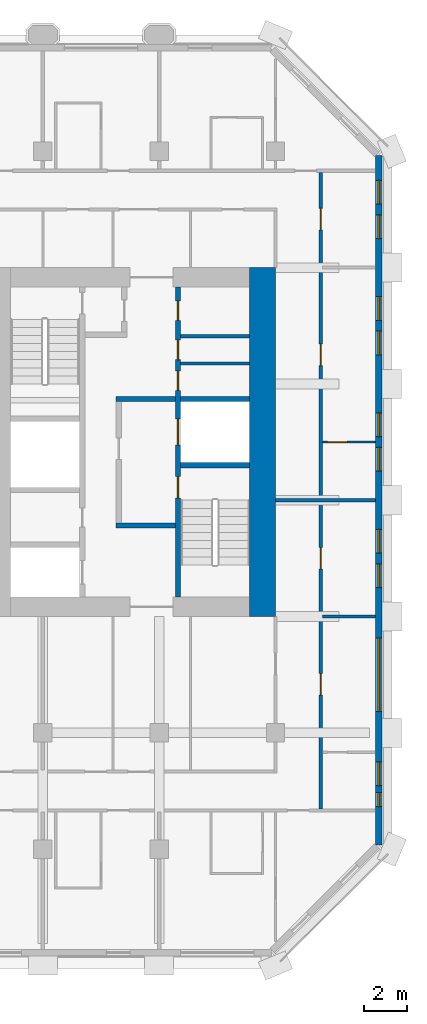
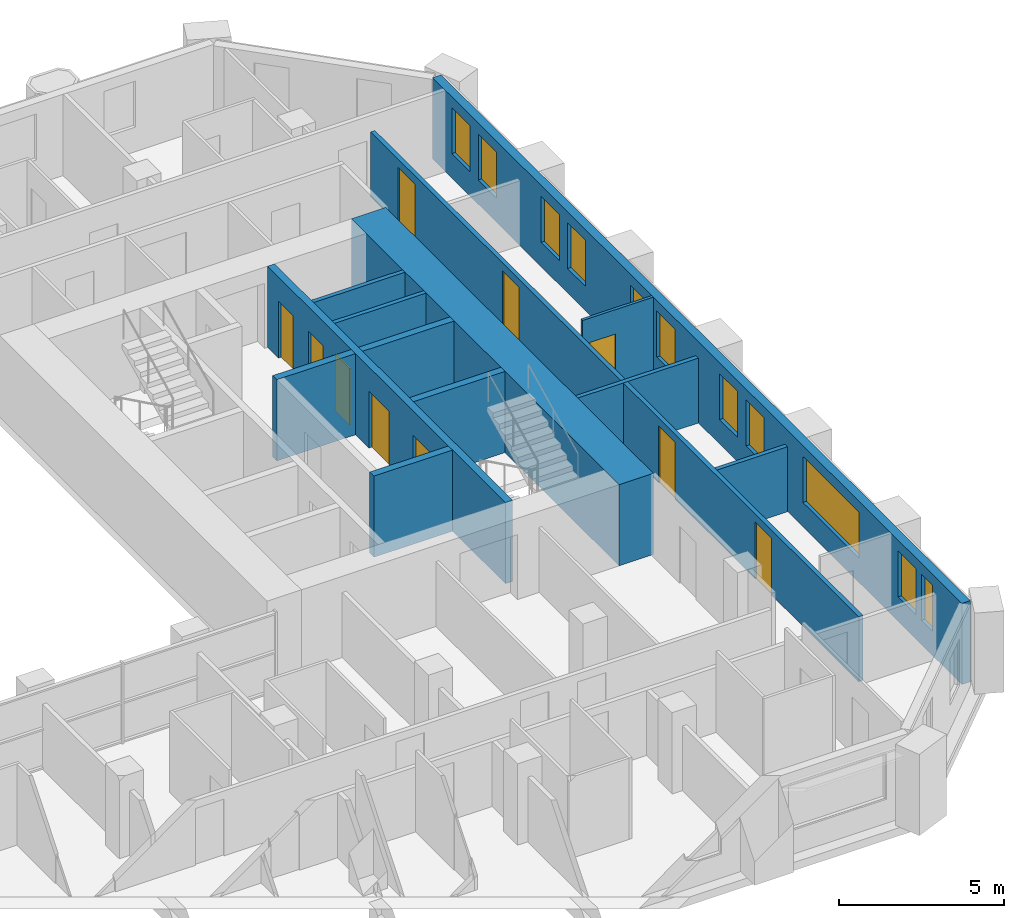
# One storey, part 11 of 16: 14 walls, 11 windows, 10 doors, 21 openings.
"""IFC4 building model written with IfcOpenShell, lengths in metres."""

from ifc_helpers import new_model, si_unit, direction, frame, frame_2d, origin, place, context, subcontext, project, spatial, rectangle, extrude, material, layer, layer_set, type_object, element, fill, save


model = new_model("IFC4")

# Units and contexts
model_context = context("Model", 3, precision=1e-05, world=origin(), true_north=direction((0.0, 1.0)))
body_context = subcontext(model_context, "Body", "Model", "MODEL_VIEW")
ifc_project = project(units=[si_unit("LENGTHUNIT", "METRE"), si_unit("AREAUNIT", "SQUARE_METRE"), si_unit("VOLUMEUNIT", "CUBIC_METRE"), si_unit("PLANEANGLEUNIT", "RADIAN"), si_unit("MASSUNIT", "GRAM", prefix="KILO")], contexts=[model_context])

# Site, building, storey
site_placement = place(None, origin())
site = spatial("IfcSite", under=ifc_project, at=site_placement, CompositionType="ELEMENT")
building_placement = place(site_placement, origin())
building = spatial("IfcBuilding", under=site, at=building_placement, Name="Tabaq Tower and Sports Hall", CompositionType="ELEMENT")
storey_placement = place(building_placement, frame((0.0, 0.0, 156.10009765625)))
storey = spatial("IfcBuildingStorey", under=building, at=storey_placement, Name="L36", CompositionType="ELEMENT", Elevation=156.10009765625)

# Walls
ifc_material_1 = material(Name="Blockwork", Category="masonry")
ifc_layer_1 = layer(ifc_material_1, 0.14990234375)
ifc_layer_set_1 = layer_set([ifc_layer_1], Name="Core room partition 150 Blockwork")
wall_type_1 = type_object("IfcWallType", Name="Core room partition 150 Blockwork", PredefinedType="PARTITIONING", material=ifc_layer_set_1)
for number, where, z_axis, x_axis, name in (
    (1, (38.800048828125, 27.947998046875, 0.0), (0.0, 0.0, 1.0), (1.0, 0.0, 0.0), "Core room partition E L36"),
    (2, (38.800048828125, 29.217041015625, 0.0), (0.0, 0.0, 1.0), (1.0, 0.0, 0.0), "Core room partition E L36"),
):
    element("IfcWall", number, at=place(storey_placement, frame(where, z_axis=z_axis, x_axis=x_axis)), inside=storey, type_object=wall_type_1, Name=name, PredefinedType="PARTITIONING", context=body_context, shape_type="SweptSolid", body=[
        extrude(rectangle(XDim=3.199951171875, YDim=0.14990234375, at=frame_2d((1.60009765625, 0.0))), origin(), (0.0, 0.0, 1.0), 3.0),
    ])
ifc_material_2 = material(Name="Concrete C50/60", Category="concrete")
ifc_layer_2 = layer(ifc_material_2, 1.199951171875)
ifc_layer_set_2 = layer_set([ifc_layer_2], Name="Core wall 1200 Concrete C50/60")
wall_type_2 = type_object("IfcWallType", Name="Core wall 1200 Concrete C50/60", PredefinedType="SOLIDWALL", material=ifc_layer_set_2)
wall_1_placement = place(storey_placement, frame((42.60009765625, 32.39990234375, 0.0), z_axis=(0.0, 0.0, 1.0), x_axis=(0.0, -1.0, 0.0)))
element("IfcWall", 3, at=wall_1_placement, inside=storey, type_object=wall_type_2, Name="Core wall E L36", PredefinedType="SOLIDWALL", context=body_context, shape_type="SweptSolid", body=[
    extrude(rectangle(XDim=16.199951171875, YDim=1.199951171875, at=frame_2d((8.10009765625, 0.0))), origin(), (0.0, 0.0, 1.0), 3.0),
])

# Wall, opening, door
ifc_material_3 = material(Name="Gypsum board on steel studs", Category="steel")
ifc_layer_3 = layer(ifc_material_3, 0.10009765625)
ifc_layer_set_3 = layer_set([ifc_layer_3], Name="Partition 100 Gypsum board")
wall_type_3 = type_object("IfcWallType", Name="Partition 100 Gypsum board", PredefinedType="PARTITIONING", material=ifc_layer_set_3)
wall_2_placement = place(storey_placement, frame((45.375, 24.300048828125, 0.0), z_axis=(0.0, 0.0, 1.0), x_axis=(1.0, 0.0, 0.0)))
wall_2 = element("IfcWall", 4, at=wall_2_placement, inside=storey, type_object=wall_type_3, Name="Partition wall L36", PredefinedType="PARTITIONING", context=body_context, shape_type="SweptSolid", body=[
    extrude(rectangle(XDim=2.47412109375, YDim=0.10009765625, at=frame_2d((1.237060546875, 0.0))), origin(), (0.0, 0.0, 1.0), 3.0),
])
opening_1_placement = place(wall_2_placement, frame((0.25, 0.0, 0.0)))
opening_1 = element("IfcOpeningElement", 5, at=opening_1_placement, cuts=wall_2, Name="Opening L36-009", PredefinedType="OPENING", context=body_context, shape_type="SweptSolid", body=[
    extrude(rectangle(XDim=0.89990234375, YDim=2.10009765625, at=frame_2d((0.449951171875, 1.050048828125))), frame((0.0, 0.050048828125, 0.0), z_axis=(0.0, -1.0, 0.0), x_axis=(1.0, 0.0, 0.0)), (0.0, 0.0, 1.0), 0.10009765625),
])
ifc_material_4 = material(Name="Timber leaf in steel frame", Category="steel")
door_type_1 = type_object("IfcDoorType", Name="Internal door 900 right hand", OperationType="SINGLE_SWING_RIGHT", PredefinedType="DOOR", material=ifc_material_4)
door_1_placement = place(opening_1_placement, origin())
door_1 = element("IfcDoor", 6, at=door_1_placement, inside=storey, type_object=door_type_1, Name="Internal door L36-009", OperationType="SINGLE_SWING_RIGHT", OverallHeight=2.10009765625, OverallWidth=0.89990234375, PredefinedType="DOOR", context=body_context, shape_type="SweptSolid", body=[
    extrude(rectangle(XDim=0.89990234375, YDim=2.10009765625, at=frame_2d((0.449951171875, 1.050048828125))), frame((0.0, 0.02490234375, 0.0), z_axis=(0.0, -1.0, 0.0), x_axis=(1.0, 0.0, 0.0)), (0.0, 0.0, 1.0), 0.050048828125),
])
fill(opening_1, door_1)

# Wall, openings, doors
ifc_material_5 = material(Name="Blockwork", Category="masonry")
ifc_layer_4 = layer(ifc_material_5, 0.14990234375)
ifc_layer_set_4 = layer_set([ifc_layer_4], Name="Separating wall 150 Blockwork")
wall_type_4 = type_object("IfcWallType", Name="Separating wall 150 Blockwork", PredefinedType="PARTITIONING", material=ifc_layer_set_4)
wall_3_placement = place(storey_placement, frame((45.300048828125, 36.824951171875, 0.0), z_axis=(0.0, 0.0, 1.0), x_axis=(0.0, -1.0, 0.0)))
wall_3 = element("IfcWall", 7, at=wall_3_placement, inside=storey, type_object=wall_type_4, Name="Separating wall L36", PredefinedType="PARTITIONING", context=body_context, shape_type="SweptSolid", body=[
    extrude(rectangle(XDim=15.14990234375, YDim=0.14990234375, at=frame_2d((7.574951171875, 0.0))), origin(), (0.0, 0.0, 1.0), 2.39990234375),
])
opening_2_placement = place(wall_3_placement, frame((1.675048828125, 0.0, 0.0)))
opening_2 = element("IfcOpeningElement", 8, at=opening_2_placement, cuts=wall_3, Name="Opening L36-001", PredefinedType="OPENING", context=body_context, shape_type="SweptSolid", body=[
    extrude(rectangle(XDim=1.0, YDim=2.10009765625, at=frame_2d((0.5, 1.050048828125))), frame((0.0, 0.074951171875, 0.0), z_axis=(0.0, -1.0, 0.0), x_axis=(1.0, 0.0, 0.0)), (0.0, 0.0, 1.0), 0.14990234375),
])
opening_3_placement = place(wall_3_placement, frame((7.97509765625, 0.0, 0.0)))
opening_3 = element("IfcOpeningElement", 9, at=opening_3_placement, cuts=wall_3, Name="Opening L36-038", PredefinedType="OPENING", context=body_context, shape_type="SweptSolid", body=[
    extrude(rectangle(XDim=1.0, YDim=2.10009765625, at=frame_2d((0.5, 1.050048828125))), frame((0.0, 0.074951171875, 0.0), z_axis=(0.0, -1.0, 0.0), x_axis=(1.0, 0.0, 0.0)), (0.0, 0.0, 1.0), 0.14990234375),
])
ifc_material_6 = material(Name="Steel fire door", Category="steel")
door_type_2 = type_object("IfcDoorType", Name="Entrance door 1000 left hand", OperationType="SINGLE_SWING_LEFT", PredefinedType="DOOR", material=ifc_material_6)
door_2_placement = place(opening_3_placement, origin())
door_2 = element("IfcDoor", 10, at=door_2_placement, inside=storey, type_object=door_type_2, Name="Entrance door L36-038", OperationType="SINGLE_SWING_LEFT", OverallHeight=2.10009765625, OverallWidth=1.0, PredefinedType="DOOR", context=body_context, shape_type="SweptSolid", body=[
    extrude(rectangle(XDim=1.0, YDim=2.10009765625, at=frame_2d((0.5, 1.050048828125))), frame((0.0, 0.02490234375, 0.0), z_axis=(0.0, -1.0, 0.0), x_axis=(1.0, 0.0, 0.0)), (0.0, 0.0, 1.0), 0.050048828125),
])
fill(opening_3, door_2)
ifc_material_7 = material(Name="Timber leaf in steel frame", Category="steel")
door_type_3 = type_object("IfcDoorType", Name="Internal door 1000 left hand", OperationType="SINGLE_SWING_LEFT", PredefinedType="DOOR", material=ifc_material_7)
door_3_placement = place(opening_2_placement, origin())
door_3 = element("IfcDoor", 11, at=door_3_placement, inside=storey, type_object=door_type_3, Name="Internal door L36-001", OperationType="SINGLE_SWING_LEFT", OverallHeight=2.10009765625, OverallWidth=1.0, PredefinedType="DOOR", context=body_context, shape_type="SweptSolid", body=[
    extrude(rectangle(XDim=1.0, YDim=2.10009765625, at=frame_2d((0.5, 1.050048828125))), frame((0.0, 0.02490234375, 0.0), z_axis=(0.0, -1.0, 0.0), x_axis=(1.0, 0.0, 0.0)), (0.0, 0.0, 1.0), 0.050048828125),
])
fill(opening_2, door_3)

# Walls
wall_4_placement = place(storey_placement, frame((43.199951171875, 21.60009765625, 0.0), z_axis=(0.0, 0.0, 1.0), x_axis=(1.0, 0.0, 0.0)))
element("IfcWall", 12, at=wall_4_placement, inside=storey, type_object=wall_type_4, Name="Separating wall L36", PredefinedType="PARTITIONING", context=body_context, shape_type="SweptSolid", body=[
    extrude(rectangle(XDim=4.649169921875, YDim=0.14990234375, at=frame_2d((2.32470703125, 0.0))), origin(), (0.0, 0.0, 1.0), 2.39990234375),
])
wall_5_placement = place(storey_placement, frame((47.84912109375, 16.199951171875, 0.0), z_axis=(0.0, 0.0, 1.0), x_axis=(-1.0, 0.0, 0.0)))
element("IfcWall", 13, at=wall_5_placement, inside=storey, type_object=wall_type_4, Name="Separating wall L36", PredefinedType="PARTITIONING", context=body_context, shape_type="SweptSolid", body=[
    extrude(rectangle(XDim=2.47412109375, YDim=0.14990234375, at=frame_2d((1.237060546875, 0.0))), origin(), (0.0, 0.0, 1.0), 2.39990234375),
])

# Wall, openings, doors
wall_6_placement = place(storey_placement, frame((45.300048828125, 21.52490234375, 0.0), z_axis=(0.0, 0.0, 1.0), x_axis=(0.0, -1.0, 0.0)))
wall_6 = element("IfcWall", 14, at=wall_6_placement, inside=storey, type_object=wall_type_4, Name="Separating wall L36", PredefinedType="PARTITIONING", context=body_context, shape_type="SweptSolid", body=[
    extrude(rectangle(XDim=14.25, YDim=0.14990234375, at=frame_2d((7.125, 0.0))), origin(), (0.0, 0.0, 1.0), 2.39990234375),
])
opening_4_placement = place(wall_6_placement, frame((2.125, 0.0, 0.0)))
opening_4 = element("IfcOpeningElement", 15, at=opening_4_placement, cuts=wall_6, Name="Opening L36-025", PredefinedType="OPENING", context=body_context, shape_type="SweptSolid", body=[
    extrude(rectangle(XDim=1.0, YDim=2.10009765625, at=frame_2d((0.5, 1.050048828125))), frame((0.0, 0.074951171875, 0.0), z_axis=(0.0, -1.0, 0.0), x_axis=(1.0, 0.0, 0.0)), (0.0, 0.0, 1.0), 0.14990234375),
])
opening_5_placement = place(wall_6_placement, frame((7.97509765625, 0.0, 0.0)))
opening_5 = element("IfcOpeningElement", 16, at=opening_5_placement, cuts=wall_6, Name="Opening L36-044", PredefinedType="OPENING", context=body_context, shape_type="SweptSolid", body=[
    extrude(rectangle(XDim=1.0, YDim=2.10009765625, at=frame_2d((0.5, 1.050048828125))), frame((0.0, 0.074951171875, 0.0), z_axis=(0.0, -1.0, 0.0), x_axis=(1.0, 0.0, 0.0)), (0.0, 0.0, 1.0), 0.14990234375),
])
door_4_placement = place(opening_5_placement, origin())
door_4 = element("IfcDoor", 17, at=door_4_placement, inside=storey, type_object=door_type_2, Name="Entrance door L36-044", OperationType="SINGLE_SWING_LEFT", OverallHeight=2.10009765625, OverallWidth=1.0, PredefinedType="DOOR", context=body_context, shape_type="SweptSolid", body=[
    extrude(rectangle(XDim=1.0, YDim=2.10009765625, at=frame_2d((0.5, 1.050048828125))), frame((0.0, 0.02490234375, 0.0), z_axis=(0.0, -1.0, 0.0), x_axis=(1.0, 0.0, 0.0)), (0.0, 0.0, 1.0), 0.050048828125),
])
fill(opening_5, door_4)
ifc_material_8 = material(Name="Timber leaf in steel frame", Category="steel")
door_type_4 = type_object("IfcDoorType", Name="Internal door 1000 right hand", OperationType="SINGLE_SWING_RIGHT", PredefinedType="DOOR", material=ifc_material_8)
door_5_placement = place(opening_4_placement, origin())
door_5 = element("IfcDoor", 18, at=door_5_placement, inside=storey, type_object=door_type_4, Name="Internal door L36-025", OperationType="SINGLE_SWING_RIGHT", OverallHeight=2.10009765625, OverallWidth=1.0, PredefinedType="DOOR", context=body_context, shape_type="SweptSolid", body=[
    extrude(rectangle(XDim=1.0, YDim=2.10009765625, at=frame_2d((0.5, 1.050048828125))), frame((0.0, 0.02490234375, 0.0), z_axis=(0.0, -1.0, 0.0), x_axis=(1.0, 0.0, 0.0)), (0.0, 0.0, 1.0), 0.050048828125),
])
fill(opening_4, door_5)

ifc_material_9 = material(Name="Concrete C40/50", Category="concrete")
ifc_layer_5 = layer(ifc_material_9, 0.25)
ifc_layer_set_5 = layer_set([ifc_layer_5], Name="Shaft and stair wall 250 Concrete C40/50")
wall_type_5 = type_object("IfcWallType", Name="Shaft and stair wall 250 Concrete C40/50", PredefinedType="SOLIDWALL", material=ifc_layer_set_5)
wall_7_placement = place(storey_placement, frame((38.675048828125, 17.10009765625, 0.0), z_axis=(0.0, 0.0, 1.0), x_axis=(0.0, 1.0, 0.0)))
wall_7 = element("IfcWall", 19, at=wall_7_placement, inside=storey, type_object=wall_type_5, Name="Shaft wall E L36", PredefinedType="SOLIDWALL", context=body_context, shape_type="SweptSolid", body=[
    extrude(rectangle(XDim=14.39990234375, YDim=0.25, at=frame_2d((7.199951171875, 0.0))), origin(), (0.0, 0.0, 1.0), 3.0),
])
opening_6_placement = place(wall_7_placement, frame((4.60009765625, 0.0, 0.0)))
opening_6 = element("IfcOpeningElement", 20, at=opening_6_placement, cuts=wall_7, Name="Opening SD-EL36-03", PredefinedType="OPENING", context=body_context, shape_type="SweptSolid", body=[
    extrude(rectangle(XDim=1.0, YDim=2.10009765625, at=frame_2d((0.5, 1.050048828125))), frame((0.0, 0.125, 0.0), z_axis=(0.0, -1.0, 0.0), x_axis=(1.0, 0.0, 0.0)), (0.0, 0.0, 1.0), 0.25),
])
opening_7_placement = place(wall_7_placement, frame((7.0625, 0.0, 0.0)))
opening_7 = element("IfcOpeningElement", 21, at=opening_7_placement, cuts=wall_7, Name="Opening LD-FF2-L36", PredefinedType="OPENING", context=body_context, shape_type="SweptSolid", body=[
    extrude(rectangle(XDim=1.199951171875, YDim=2.10009765625, at=frame_2d((0.60009765625, 1.050048828125))), frame((0.0, 0.125, 0.0), z_axis=(0.0, -1.0, 0.0), x_axis=(1.0, 0.0, 0.0)), (0.0, 0.0, 1.0), 0.25),
])
opening_8_placement = place(wall_7_placement, frame((9.59912109375, 0.0, 0.0)))
opening_8 = element("IfcOpeningElement", 22, at=opening_8_placement, cuts=wall_7, Name="Opening RD-EL36-09", PredefinedType="OPENING", context=body_context, shape_type="SweptSolid", body=[
    extrude(rectangle(XDim=0.89990234375, YDim=2.10009765625, at=frame_2d((0.449951171875, 1.050048828125))), frame((0.0, 0.125, 0.0), z_axis=(0.0, -1.0, 0.0), x_axis=(1.0, 0.0, 0.0)), (0.0, 0.0, 1.0), 0.25),
])
opening_9_placement = place(wall_7_placement, frame((11.032470703125, 0.0, 0.0)))
opening_9 = element("IfcOpeningElement", 23, at=opening_9_placement, cuts=wall_7, Name="Opening RD-EL36-10", PredefinedType="OPENING", context=body_context, shape_type="SweptSolid", body=[
    extrude(rectangle(XDim=0.89990234375, YDim=2.10009765625, at=frame_2d((0.449951171875, 1.050048828125))), frame((0.0, 0.125, 0.0), z_axis=(0.0, -1.0, 0.0), x_axis=(1.0, 0.0, 0.0)), (0.0, 0.0, 1.0), 0.25),
])
opening_10_placement = place(wall_7_placement, frame((12.845947265625, 0.0, 0.0)))
opening_10 = element("IfcOpeningElement", 24, at=opening_10_placement, cuts=wall_7, Name="Opening RD-EL36-11", PredefinedType="OPENING", context=body_context, shape_type="SweptSolid", body=[
    extrude(rectangle(XDim=0.89990234375, YDim=2.10009765625, at=frame_2d((0.449951171875, 1.050048828125))), frame((0.0, 0.125, 0.0), z_axis=(0.0, -1.0, 0.0), x_axis=(1.0, 0.0, 0.0)), (0.0, 0.0, 1.0), 0.25),
])
ifc_material_10 = material(Name="Steel fire door", Category="steel")
door_type_5 = type_object("IfcDoorType", Name="Core room door 900", OperationType="SINGLE_SWING_LEFT", PredefinedType="DOOR", material=ifc_material_10)
door_6_placement = place(opening_8_placement, origin())
door_6 = element("IfcDoor", 25, at=door_6_placement, inside=storey, type_object=door_type_5, Name="Door Accessible WC E L36", OperationType="SINGLE_SWING_LEFT", OverallHeight=2.10009765625, OverallWidth=0.89990234375, PredefinedType="DOOR", context=body_context, shape_type="SweptSolid", body=[
    extrude(rectangle(XDim=0.89990234375, YDim=2.10009765625, at=frame_2d((0.449951171875, 1.050048828125))), frame((0.0, 0.02490234375, 0.0), z_axis=(0.0, -1.0, 0.0), x_axis=(1.0, 0.0, 0.0)), (0.0, 0.0, 1.0), 0.050048828125),
])
fill(opening_8, door_6)
door_7_placement = place(opening_9_placement, origin())
door_7 = element("IfcDoor", 26, at=door_7_placement, inside=storey, type_object=door_type_5, Name="Door Electrical Riser Room E L36", OperationType="SINGLE_SWING_LEFT", OverallHeight=2.10009765625, OverallWidth=0.89990234375, PredefinedType="DOOR", context=body_context, shape_type="SweptSolid", body=[
    extrude(rectangle(XDim=0.89990234375, YDim=2.10009765625, at=frame_2d((0.449951171875, 1.050048828125))), frame((0.0, 0.02490234375, 0.0), z_axis=(0.0, -1.0, 0.0), x_axis=(1.0, 0.0, 0.0)), (0.0, 0.0, 1.0), 0.050048828125),
])
fill(opening_9, door_7)
door_8_placement = place(opening_10_placement, origin())
door_8 = element("IfcDoor", 27, at=door_8_placement, inside=storey, type_object=door_type_5, Name="Door Unisex WC E L36", OperationType="SINGLE_SWING_LEFT", OverallHeight=2.10009765625, OverallWidth=0.89990234375, PredefinedType="DOOR", context=body_context, shape_type="SweptSolid", body=[
    extrude(rectangle(XDim=0.89990234375, YDim=2.10009765625, at=frame_2d((0.449951171875, 1.050048828125))), frame((0.0, 0.02490234375, 0.0), z_axis=(0.0, -1.0, 0.0), x_axis=(1.0, 0.0, 0.0)), (0.0, 0.0, 1.0), 0.050048828125),
])
fill(opening_10, door_8)
ifc_material_11 = material(Name="Stainless steel", Category="steel")
door_type_6 = type_object("IfcDoorType", Name="Lift landing door 1200", OperationType="DOUBLE_DOOR_SLIDING", PredefinedType="DOOR", material=ifc_material_11)
door_9_placement = place(opening_7_placement, origin())
door_9 = element("IfcDoor", 28, at=door_9_placement, inside=storey, type_object=door_type_6, Name="Lift landing door FF2 E L36", OperationType="DOUBLE_DOOR_SLIDING", OverallHeight=2.10009765625, OverallWidth=1.199951171875, PredefinedType="DOOR", context=body_context, shape_type="SweptSolid", body=[
    extrude(rectangle(XDim=1.199951171875, YDim=2.10009765625, at=frame_2d((0.60009765625, 1.050048828125))), frame((0.0, 0.02490234375, 0.0), z_axis=(0.0, -1.0, 0.0), x_axis=(1.0, 0.0, 0.0)), (0.0, 0.0, 1.0), 0.050048828125),
])
fill(opening_7, door_9)
ifc_material_12 = material(Name="Steel fire door", Category="steel")
door_type_7 = type_object("IfcDoorType", Name="Stair door 1000", OperationType="SINGLE_SWING_LEFT", PredefinedType="DOOR", material=ifc_material_12)
door_10_placement = place(opening_6_placement, origin())
door_10 = element("IfcDoor", 29, at=door_10_placement, inside=storey, type_object=door_type_7, Name="Stair door ST3 E L36", OperationType="SINGLE_SWING_LEFT", OverallHeight=2.10009765625, OverallWidth=1.0, PredefinedType="DOOR", context=body_context, shape_type="SweptSolid", body=[
    extrude(rectangle(XDim=1.0, YDim=2.10009765625, at=frame_2d((0.5, 1.050048828125))), frame((0.0, 0.02490234375, 0.0), z_axis=(0.0, -1.0, 0.0), x_axis=(1.0, 0.0, 0.0)), (0.0, 0.0, 1.0), 0.050048828125),
])
fill(opening_6, door_10)

# Walls
for number, where, z_axis, x_axis, name in (
    (30, (38.800048828125, 23.22509765625, 0.0), (0.0, 0.0, 1.0), (1.0, 0.0, 0.0), "Stair enclosure wall E L36"),
    (31, (38.800048828125, 26.300048828125, 0.0), (0.0, 0.0, 1.0), (1.0, 0.0, 0.0), "Shaft wall E L36"),
):
    element("IfcWall", number, at=place(storey_placement, frame(where, z_axis=z_axis, x_axis=x_axis)), inside=storey, type_object=wall_type_5, Name=name, PredefinedType="SOLIDWALL", context=body_context, shape_type="SweptSolid", body=[
        extrude(rectangle(XDim=3.199951171875, YDim=0.25, at=frame_2d((1.60009765625, 0.0))), origin(), (0.0, 0.0, 1.0), 3.0),
    ])
for number, where, z_axis, x_axis, name in (
    (32, (35.800048828125, 26.300048828125, 0.0), (0.0, 0.0, 1.0), (1.0, 0.0, 0.0), "Fire-fighting lobby wall E L36"),
    (33, (35.800048828125, 20.425048828125, 0.0), (0.0, 0.0, 1.0), (1.0, 0.0, 0.0), "Fire-fighting lobby wall E L36"),
):
    element("IfcWall", number, at=place(storey_placement, frame(where, z_axis=z_axis, x_axis=x_axis)), inside=storey, type_object=wall_type_5, Name=name, PredefinedType="SOLIDWALL", context=body_context, shape_type="SweptSolid", body=[
        extrude(rectangle(XDim=2.75, YDim=0.25, at=frame_2d((1.375, 0.0))), origin(), (0.0, 0.0, 1.0), 3.0),
    ])

# Wall, openings, windows
ifc_material_13 = material(Name="White precast concrete C60/75", Category="concrete")
ifc_layer_6 = layer(ifc_material_13, 0.300048828125)
ifc_layer_set_6 = layer_set([ifc_layer_6], Name="White precast concrete C60/75 external wall 300")
wall_type_6 = type_object("IfcWallType", Name="White precast concrete C60/75 external wall 300", PredefinedType="SOLIDWALL", material=ifc_layer_set_6)
wall_8_placement = place(storey_placement, frame((48.0, 5.58642578125, 0.0), z_axis=(0.0, 0.0, 1.0), x_axis=(0.0, 1.0, 0.0)))
wall_8 = element("IfcWall", 34, at=wall_8_placement, inside=storey, type_object=wall_type_6, Name="External Wall L36 E", PredefinedType="SOLIDWALL", context=body_context, shape_type="SweptSolid", body=[
    extrude(rectangle(XDim=32.027099609375, YDim=0.300048828125, at=frame_2d((16.013671875, 0.0))), origin(), (0.0, 0.0, 1.0), 3.0),
])
opening_11_placement = place(wall_8_placement, frame((1.78857421875, 0.0, 0.89990234375)))
opening_11 = element("IfcOpeningElement", 35, at=opening_11_placement, cuts=wall_8, Name="Opening W1C", PredefinedType="OPENING", context=body_context, shape_type="SweptSolid", body=[
    extrude(rectangle(XDim=0.64990234375, YDim=1.699951171875, at=frame_2d((0.324951171875, 0.85009765625))), frame((0.0, 0.16015625, 0.0), z_axis=(0.0, -1.0, 0.0), x_axis=(1.0, 0.0, 0.0)), (0.0, 0.0, 1.0), 0.320068359375),
])
opening_12_placement = place(wall_8_placement, frame((2.763671875, 0.0, 0.89990234375)))
opening_12 = element("IfcOpeningElement", 36, at=opening_12_placement, cuts=wall_8, Name="Opening W1B", PredefinedType="OPENING", context=body_context, shape_type="SweptSolid", body=[
    extrude(rectangle(XDim=1.10009765625, YDim=1.699951171875, at=frame_2d((0.550048828125, 0.85009765625))), frame((0.0, 0.16015625, 0.0), z_axis=(0.0, -1.0, 0.0), x_axis=(1.0, 0.0, 0.0)), (0.0, 0.0, 1.0), 0.320068359375),
])
opening_13_placement = place(wall_8_placement, frame((6.213623046875, 0.0, 0.89990234375)))
opening_13 = element("IfcOpeningElement", 37, at=opening_13_placement, cuts=wall_8, Name="Opening W1A", PredefinedType="OPENING", context=body_context, shape_type="SweptSolid", body=[
    extrude(rectangle(XDim=3.39990234375, YDim=1.699951171875, at=frame_2d((1.699951171875, 0.85009765625))), frame((0.0, 0.16015625, 0.0), z_axis=(0.0, -1.0, 0.0), x_axis=(1.0, 0.0, 0.0)), (0.0, 0.0, 1.0), 0.320068359375),
])
opening_14_placement = place(wall_8_placement, frame((11.963623046875, 0.0, 0.89990234375)))
opening_14 = element("IfcOpeningElement", 38, at=opening_14_placement, cuts=wall_8, Name="Opening W1B", PredefinedType="OPENING", context=body_context, shape_type="SweptSolid", body=[
    extrude(rectangle(XDim=1.10009765625, YDim=1.699951171875, at=frame_2d((0.550048828125, 0.85009765625))), frame((0.0, 0.16015625, 0.0), z_axis=(0.0, -1.0, 0.0), x_axis=(1.0, 0.0, 0.0)), (0.0, 0.0, 1.0), 0.320068359375),
])
opening_15_placement = place(wall_8_placement, frame((13.563720703125, 0.0, 0.89990234375)))
opening_15 = element("IfcOpeningElement", 39, at=opening_15_placement, cuts=wall_8, Name="Opening W1B", PredefinedType="OPENING", context=body_context, shape_type="SweptSolid", body=[
    extrude(rectangle(XDim=1.10009765625, YDim=1.699951171875, at=frame_2d((0.550048828125, 0.85009765625))), frame((0.0, 0.16015625, 0.0), z_axis=(0.0, -1.0, 0.0), x_axis=(1.0, 0.0, 0.0)), (0.0, 0.0, 1.0), 0.320068359375),
])
opening_16_placement = place(wall_8_placement, frame((17.363525390625, 0.0, 0.89990234375)))
opening_16 = element("IfcOpeningElement", 40, at=opening_16_placement, cuts=wall_8, Name="Opening W1B", PredefinedType="OPENING", context=body_context, shape_type="SweptSolid", body=[
    extrude(rectangle(XDim=1.10009765625, YDim=1.699951171875, at=frame_2d((0.550048828125, 0.85009765625))), frame((0.0, 0.16015625, 0.0), z_axis=(0.0, -1.0, 0.0), x_axis=(1.0, 0.0, 0.0)), (0.0, 0.0, 1.0), 0.320068359375),
])
opening_17_placement = place(wall_8_placement, frame((18.963623046875, 0.0, 0.89990234375)))
opening_17 = element("IfcOpeningElement", 41, at=opening_17_placement, cuts=wall_8, Name="Opening W1B", PredefinedType="OPENING", context=body_context, shape_type="SweptSolid", body=[
    extrude(rectangle(XDim=1.10009765625, YDim=1.699951171875, at=frame_2d((0.550048828125, 0.85009765625))), frame((0.0, 0.16015625, 0.0), z_axis=(0.0, -1.0, 0.0), x_axis=(1.0, 0.0, 0.0)), (0.0, 0.0, 1.0), 0.320068359375),
])
opening_18_placement = place(wall_8_placement, frame((22.763671875, 0.0, 0.89990234375)))
opening_18 = element("IfcOpeningElement", 42, at=opening_18_placement, cuts=wall_8, Name="Opening W1B", PredefinedType="OPENING", context=body_context, shape_type="SweptSolid", body=[
    extrude(rectangle(XDim=1.10009765625, YDim=1.699951171875, at=frame_2d((0.550048828125, 0.85009765625))), frame((0.0, 0.16015625, 0.0), z_axis=(0.0, -1.0, 0.0), x_axis=(1.0, 0.0, 0.0)), (0.0, 0.0, 1.0), 0.320068359375),
])
opening_19_placement = place(wall_8_placement, frame((24.363525390625, 0.0, 0.89990234375)))
opening_19 = element("IfcOpeningElement", 43, at=opening_19_placement, cuts=wall_8, Name="Opening W1B", PredefinedType="OPENING", context=body_context, shape_type="SweptSolid", body=[
    extrude(rectangle(XDim=1.10009765625, YDim=1.699951171875, at=frame_2d((0.550048828125, 0.85009765625))), frame((0.0, 0.16015625, 0.0), z_axis=(0.0, -1.0, 0.0), x_axis=(1.0, 0.0, 0.0)), (0.0, 0.0, 1.0), 0.320068359375),
])
opening_20_placement = place(wall_8_placement, frame((28.16357421875, 0.0, 0.89990234375)))
opening_20 = element("IfcOpeningElement", 44, at=opening_20_placement, cuts=wall_8, Name="Opening W1B", PredefinedType="OPENING", context=body_context, shape_type="SweptSolid", body=[
    extrude(rectangle(XDim=1.10009765625, YDim=1.699951171875, at=frame_2d((0.550048828125, 0.85009765625))), frame((0.0, 0.16015625, 0.0), z_axis=(0.0, -1.0, 0.0), x_axis=(1.0, 0.0, 0.0)), (0.0, 0.0, 1.0), 0.320068359375),
])
opening_21_placement = place(wall_8_placement, frame((29.763671875, 0.0, 0.89990234375)))
opening_21 = element("IfcOpeningElement", 45, at=opening_21_placement, cuts=wall_8, Name="Opening W1B", PredefinedType="OPENING", context=body_context, shape_type="SweptSolid", body=[
    extrude(rectangle(XDim=1.10009765625, YDim=1.699951171875, at=frame_2d((0.550048828125, 0.85009765625))), frame((0.0, 0.16015625, 0.0), z_axis=(0.0, -1.0, 0.0), x_axis=(1.0, 0.0, 0.0)), (0.0, 0.0, 1.0), 0.320068359375),
])
ifc_material_14 = material(Name="Aluminium framed clear glazing", Category="aluminium")
window_type_1 = type_object("IfcWindowType", Name="Window W1A", PartitioningType="SINGLE_PANEL", PredefinedType="WINDOW", material=ifc_material_14)
window_1_placement = place(opening_13_placement, origin())
window_1 = element("IfcWindow", 46, at=window_1_placement, inside=storey, type_object=window_type_1, Name="Window W1A L36", OverallHeight=1.699951171875, OverallWidth=3.39990234375, PartitioningType="SINGLE_PANEL", PredefinedType="WINDOW", context=body_context, shape_type="SweptSolid", body=[
    extrude(rectangle(XDim=3.39990234375, YDim=1.699951171875, at=frame_2d((1.699951171875, 0.85009765625))), frame((0.0, 0.030029296875, 0.0), z_axis=(0.0, -1.0, 0.0), x_axis=(1.0, 0.0, 0.0)), (0.0, 0.0, 1.0), 0.06005859375),
])
fill(opening_13, window_1)
ifc_material_15 = material(Name="Aluminium framed clear glazing", Category="aluminium")
window_type_2 = type_object("IfcWindowType", Name="Window W1B", PartitioningType="SINGLE_PANEL", PredefinedType="WINDOW", material=ifc_material_15)
window_2_placement = place(opening_12_placement, origin())
window_2 = element("IfcWindow", 47, at=window_2_placement, inside=storey, type_object=window_type_2, Name="Window W1B L36", OverallHeight=1.699951171875, OverallWidth=1.10009765625, PartitioningType="SINGLE_PANEL", PredefinedType="WINDOW", context=body_context, shape_type="SweptSolid", body=[
    extrude(rectangle(XDim=1.10009765625, YDim=1.699951171875, at=frame_2d((0.550048828125, 0.85009765625))), frame((0.0, 0.030029296875, 0.0), z_axis=(0.0, -1.0, 0.0), x_axis=(1.0, 0.0, 0.0)), (0.0, 0.0, 1.0), 0.06005859375),
])
fill(opening_12, window_2)
window_3_placement = place(opening_14_placement, origin())
window_3 = element("IfcWindow", 48, at=window_3_placement, inside=storey, type_object=window_type_2, Name="Window W1B L36", OverallHeight=1.699951171875, OverallWidth=1.10009765625, PartitioningType="SINGLE_PANEL", PredefinedType="WINDOW", context=body_context, shape_type="SweptSolid", body=[
    extrude(rectangle(XDim=1.10009765625, YDim=1.699951171875, at=frame_2d((0.550048828125, 0.85009765625))), frame((0.0, 0.030029296875, 0.0), z_axis=(0.0, -1.0, 0.0), x_axis=(1.0, 0.0, 0.0)), (0.0, 0.0, 1.0), 0.06005859375),
])
fill(opening_14, window_3)
window_4_placement = place(opening_15_placement, origin())
window_4 = element("IfcWindow", 49, at=window_4_placement, inside=storey, type_object=window_type_2, Name="Window W1B L36", OverallHeight=1.699951171875, OverallWidth=1.10009765625, PartitioningType="SINGLE_PANEL", PredefinedType="WINDOW", context=body_context, shape_type="SweptSolid", body=[
    extrude(rectangle(XDim=1.10009765625, YDim=1.699951171875, at=frame_2d((0.550048828125, 0.85009765625))), frame((0.0, 0.030029296875, 0.0), z_axis=(0.0, -1.0, 0.0), x_axis=(1.0, 0.0, 0.0)), (0.0, 0.0, 1.0), 0.06005859375),
])
fill(opening_15, window_4)
window_5_placement = place(opening_16_placement, origin())
window_5 = element("IfcWindow", 50, at=window_5_placement, inside=storey, type_object=window_type_2, Name="Window W1B L36", OverallHeight=1.699951171875, OverallWidth=1.10009765625, PartitioningType="SINGLE_PANEL", PredefinedType="WINDOW", context=body_context, shape_type="SweptSolid", body=[
    extrude(rectangle(XDim=1.10009765625, YDim=1.699951171875, at=frame_2d((0.550048828125, 0.85009765625))), frame((0.0, 0.030029296875, 0.0), z_axis=(0.0, -1.0, 0.0), x_axis=(1.0, 0.0, 0.0)), (0.0, 0.0, 1.0), 0.06005859375),
])
fill(opening_16, window_5)
window_6_placement = place(opening_17_placement, origin())
window_6 = element("IfcWindow", 51, at=window_6_placement, inside=storey, type_object=window_type_2, Name="Window W1B L36", OverallHeight=1.699951171875, OverallWidth=1.10009765625, PartitioningType="SINGLE_PANEL", PredefinedType="WINDOW", context=body_context, shape_type="SweptSolid", body=[
    extrude(rectangle(XDim=1.10009765625, YDim=1.699951171875, at=frame_2d((0.550048828125, 0.85009765625))), frame((0.0, 0.030029296875, 0.0), z_axis=(0.0, -1.0, 0.0), x_axis=(1.0, 0.0, 0.0)), (0.0, 0.0, 1.0), 0.06005859375),
])
fill(opening_17, window_6)
window_7_placement = place(opening_18_placement, origin())
window_7 = element("IfcWindow", 52, at=window_7_placement, inside=storey, type_object=window_type_2, Name="Window W1B L36", OverallHeight=1.699951171875, OverallWidth=1.10009765625, PartitioningType="SINGLE_PANEL", PredefinedType="WINDOW", context=body_context, shape_type="SweptSolid", body=[
    extrude(rectangle(XDim=1.10009765625, YDim=1.699951171875, at=frame_2d((0.550048828125, 0.85009765625))), frame((0.0, 0.030029296875, 0.0), z_axis=(0.0, -1.0, 0.0), x_axis=(1.0, 0.0, 0.0)), (0.0, 0.0, 1.0), 0.06005859375),
])
fill(opening_18, window_7)
window_8_placement = place(opening_19_placement, origin())
window_8 = element("IfcWindow", 53, at=window_8_placement, inside=storey, type_object=window_type_2, Name="Window W1B L36", OverallHeight=1.699951171875, OverallWidth=1.10009765625, PartitioningType="SINGLE_PANEL", PredefinedType="WINDOW", context=body_context, shape_type="SweptSolid", body=[
    extrude(rectangle(XDim=1.10009765625, YDim=1.699951171875, at=frame_2d((0.550048828125, 0.85009765625))), frame((0.0, 0.030029296875, 0.0), z_axis=(0.0, -1.0, 0.0), x_axis=(1.0, 0.0, 0.0)), (0.0, 0.0, 1.0), 0.06005859375),
])
fill(opening_19, window_8)
window_9_placement = place(opening_20_placement, origin())
window_9 = element("IfcWindow", 54, at=window_9_placement, inside=storey, type_object=window_type_2, Name="Window W1B L36", OverallHeight=1.699951171875, OverallWidth=1.10009765625, PartitioningType="SINGLE_PANEL", PredefinedType="WINDOW", context=body_context, shape_type="SweptSolid", body=[
    extrude(rectangle(XDim=1.10009765625, YDim=1.699951171875, at=frame_2d((0.550048828125, 0.85009765625))), frame((0.0, 0.030029296875, 0.0), z_axis=(0.0, -1.0, 0.0), x_axis=(1.0, 0.0, 0.0)), (0.0, 0.0, 1.0), 0.06005859375),
])
fill(opening_20, window_9)
window_10_placement = place(opening_21_placement, origin())
window_10 = element("IfcWindow", 55, at=window_10_placement, inside=storey, type_object=window_type_2, Name="Window W1B L36", OverallHeight=1.699951171875, OverallWidth=1.10009765625, PartitioningType="SINGLE_PANEL", PredefinedType="WINDOW", context=body_context, shape_type="SweptSolid", body=[
    extrude(rectangle(XDim=1.10009765625, YDim=1.699951171875, at=frame_2d((0.550048828125, 0.85009765625))), frame((0.0, 0.030029296875, 0.0), z_axis=(0.0, -1.0, 0.0), x_axis=(1.0, 0.0, 0.0)), (0.0, 0.0, 1.0), 0.06005859375),
])
fill(opening_21, window_10)
ifc_material_16 = material(Name="Aluminium framed clear glazing", Category="aluminium")
window_type_3 = type_object("IfcWindowType", Name="Window W1C", PartitioningType="SINGLE_PANEL", PredefinedType="WINDOW", material=ifc_material_16)
window_11_placement = place(opening_11_placement, origin())
window_11 = element("IfcWindow", 56, at=window_11_placement, inside=storey, type_object=window_type_3, Name="Window W1C L36", OverallHeight=1.699951171875, OverallWidth=0.64990234375, PartitioningType="SINGLE_PANEL", PredefinedType="WINDOW", context=body_context, shape_type="SweptSolid", body=[
    extrude(rectangle(XDim=0.64990234375, YDim=1.699951171875, at=frame_2d((0.324951171875, 0.85009765625))), frame((0.0, 0.030029296875, 0.0), z_axis=(0.0, -1.0, 0.0), x_axis=(1.0, 0.0, 0.0)), (0.0, 0.0, 1.0), 0.06005859375),
])
fill(opening_11, window_11)

save(model, "model.ifc")
